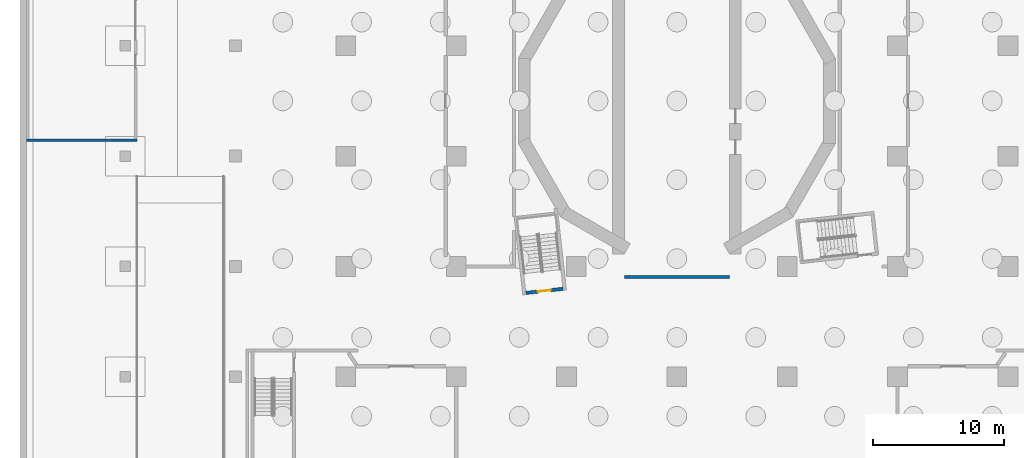
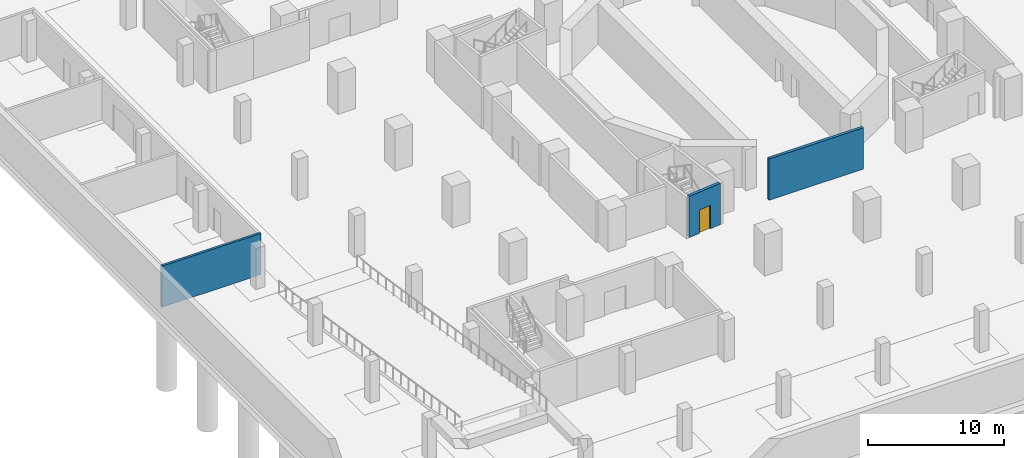
# One storey, part 5 of 20: 3 walls, 1 door, 1 opening.
"""IFC4 building model written with IfcOpenShell, lengths in metres."""

import ifcopenshell
import ifcopenshell.guid

model = None  # the IFC model being written
_history = None  # IfcOwnerHistory: only IFC2X3 demands one
_inside = {}  # id of a spatial element -> (the spatial element, [elements in it])
_under = {}  # id of a project, library or spatial element -> (it, [spatial elements below it])
_declared = {}  # id of a project -> (the project, [libraries it declares])
_typed = {}  # id of a type object -> (the type object, [elements of that type])
_made_of = {}  # id of a material, layer set ... -> (it, [elements and type objects made of it])


def new_model(schema):
    """Start an empty IFC model of exactly this schema.

    Asked for "IFC4X3", IfcOpenShell would pick the latest addendum, in which some entities
    have other attributes; the version numbers below select the first issue.
    IFC2X3 requires an IfcOwnerHistory on every rooted entity: one is made here for all.
    """
    global model, _history
    if schema == "IFC4X3":
        model = ifcopenshell.file(schema_version=(4, 3, 0, 0))
    else:
        model = ifcopenshell.file(schema=schema)
    _inside.clear()
    _under.clear()
    _declared.clear()
    _typed.clear()
    _made_of.clear()
    _history = None
    if model.schema == "IFC2X3":
        org = make("IfcOrganization", Name="unknown")
        user = make(
            "IfcPersonAndOrganization",
            ThePerson=make("IfcPerson", FamilyName="unknown"),
            TheOrganization=org,
        )
        app = make(
            "IfcApplication",
            ApplicationDeveloper=org,
            Version="unknown",
            ApplicationFullName="unknown",
            ApplicationIdentifier="unknown",
        )
        _history = make(
            "IfcOwnerHistory",
            OwningUser=user,
            OwningApplication=app,
            ChangeAction="ADDED",
            CreationDate=0,
        )
    return model


def make(cls, **values):
    """One entity of the class cls with the attributes given. An attribute that is None is left unset."""
    return model.create_entity(
        cls, **{name: value for name, value in values.items() if value is not None}
    )


def rooted(cls, **values):
    """An entity with a GlobalId (a new one), such as an element, a storey or a relation."""
    return make(cls, GlobalId=ifcopenshell.guid.new(), OwnerHistory=_history, **values)


def si_unit(unit_type, name, prefix=None):
    """IfcSIUnit, for example si_unit("LENGTHUNIT", "METRE", prefix="MILLI")."""
    return make("IfcSIUnit", UnitType=unit_type, Prefix=prefix, Name=name)


def assignment(units):
    """IfcUnitAssignment: the units of a project."""
    return None if units is None else make("IfcUnitAssignment", Units=units)


def point(xyz):
    """IfcCartesianPoint."""
    return None if xyz is None else make("IfcCartesianPoint", Coordinates=xyz)


def direction(xyz):
    """IfcDirection."""
    return None if xyz is None else make("IfcDirection", DirectionRatios=xyz)


def frame(location, z_axis=None, x_axis=None):
    """IfcAxis2Placement3D, a coordinate frame: its origin and axes. An axis left out is left unset."""
    return make(
        "IfcAxis2Placement3D",
        Location=point(location),
        Axis=direction(z_axis),
        RefDirection=direction(x_axis),
    )


def frame_2d(location, x_axis=None):
    """IfcAxis2Placement2D, a coordinate frame in the plane: its origin and x axis."""
    return make(
        "IfcAxis2Placement2D", Location=point(location), RefDirection=direction(x_axis)
    )


def origin():
    """The frame at (0, 0, 0) with its axes left unset."""
    return frame((0.0, 0.0, 0.0))


def place(relative_to, where):
    """IfcLocalPlacement: puts the frame where relative to a parent placement (None: the world)."""
    return make(
        "IfcLocalPlacement", PlacementRelTo=relative_to, RelativePlacement=where
    )


def context(
    kind, dimensions, precision=None, world=None, true_north=None, identifier=None
):
    """IfcGeometricRepresentationContext, for example the 3D "Model" context."""
    return make(
        "IfcGeometricRepresentationContext",
        ContextIdentifier=identifier,
        ContextType=kind,
        CoordinateSpaceDimension=dimensions,
        Precision=precision,
        WorldCoordinateSystem=world,
        TrueNorth=true_north,
    )


def subcontext(parent, identifier, kind, view, scale=None):
    """IfcGeometricRepresentationSubContext, for example "Body" below "Model"."""
    return make(
        "IfcGeometricRepresentationSubContext",
        ContextIdentifier=identifier,
        ContextType=kind,
        ParentContext=parent,
        TargetScale=scale,
        TargetView=view,
    )


def project(units=None, contexts=None):
    """IfcProject with its units and contexts."""
    return rooted(
        "IfcProject",
        Name="project",
        RepresentationContexts=contexts,
        UnitsInContext=assignment(units),
    )


def spatial(cls, under=None, at=None, **own):
    """A site, building, storey or space (cls), placed at a placement, below another one or the project."""
    s = rooted(cls, ObjectPlacement=at, **own)
    if under is not None:
        _under.setdefault(under.id(), (under, []))[1].append(s)
    return s


def profile(cls, at=None, kind="AREA", **sizes):
    """A parametric profile (cls). Its sizes go by their IFC names, for example OverallWidth=200.0."""
    return make(cls, ProfileType=kind, Position=at, **sizes)


def rectangle(**sizes):
    """IfcRectangleProfileDef."""
    return profile("IfcRectangleProfileDef", **sizes)


def extrude(swept, where, along, depth):
    """IfcExtrudedAreaSolid: the profile swept, set in the frame where, extruded along a direction by depth."""
    return make(
        "IfcExtrudedAreaSolid",
        SweptArea=swept,
        Position=where,
        ExtrudedDirection=direction(along),
        Depth=depth,
    )


def shape(context_of_items, identifier, shape_type, items):
    """IfcShapeRepresentation: the items that make up one representation, for example the "Body"."""
    return make(
        "IfcShapeRepresentation",
        ContextOfItems=context_of_items,
        RepresentationIdentifier=identifier,
        RepresentationType=shape_type,
        Items=items,
    )


def material(Name=None, Category=None):
    """IfcMaterial."""
    return make("IfcMaterial", Name=Name, Category=Category)


def layer(
    of_material, thickness, ventilated=None, Name=None, Category=None, Priority=None
):
    """IfcMaterialLayer: one layer of a wall or slab, of a material (None: an air gap)."""
    return make(
        "IfcMaterialLayer",
        Material=of_material,
        LayerThickness=thickness,
        IsVentilated=ventilated,
        Name=Name,
        Category=Category,
        Priority=Priority,
    )


def layer_set(layers, Name=None):
    """IfcMaterialLayerSet."""
    return make("IfcMaterialLayerSet", MaterialLayers=layers, LayerSetName=Name)


def made_of(thing, what):
    """Note that an element or type object is made of a material, layer set ...; save() writes the relation."""
    if what is not None:
        _made_of.setdefault(what.id(), (what, []))[1].append(thing)
    return thing


def type_object(cls, material=None, **own):
    """A type object (cls), such as IfcWallType, which elements share."""
    return made_of(rooted(cls, **own), material)


def element(
    cls,
    number,
    at=None,
    inside=None,
    cuts=None,
    type_object=None,
    material=None,
    context=None,
    identifier="Body",
    shape_type=None,
    held_by="IfcProductDefinitionShape",
    body=None,
    shapes=None,
    **own,
):
    """One element of the class cls, such as IfcWall. Its Tag is "e" and its number.

    at: its placement. inside: the storey or other place that contains it. cuts: it is an
    opening in that element (IfcRelVoidsElement). A single representation is given by context,
    identifier, shape_type and body (its items); several are given by shapes. held_by: the class
    of the entity that holds the representations. save() writes the other relations.
    """
    e = rooted(cls, Tag="e%d" % number, ObjectPlacement=at, **own)
    if body is not None:
        shapes = [shape(context, identifier, shape_type, body)]
    if shapes is not None:
        e.Representation = make(held_by, Representations=shapes)
    if inside is not None:
        _inside.setdefault(inside.id(), (inside, []))[1].append(e)
    if cuts is not None:
        rooted(
            "IfcRelVoidsElement", RelatingBuildingElement=cuts, RelatedOpeningElement=e
        )
    if type_object is not None:
        _typed.setdefault(type_object.id(), (type_object, []))[1].append(e)
    return made_of(e, material)


def fill(opening, filler):
    """IfcRelFillsElement: the door or window that sits in an opening."""
    return rooted(
        "IfcRelFillsElement",
        RelatingOpeningElement=opening,
        RelatedBuildingElement=filler,
    )


def aggregate(whole, parts):
    """IfcRelAggregates: a whole, such as a stair, and the parts it consists of."""
    return rooted("IfcRelAggregates", RelatingObject=whole, RelatedObjects=parts)


def save(model, path):
    """Write the relations noted so far, then the file.

    IfcRelAggregates (storeys below a building ...), IfcRelContainedInSpatialStructure (elements
    in a storey), IfcRelDefinesByType, IfcRelAssociatesMaterial and IfcRelDeclares: one each for
    every whole, place, type object, material and project.
    """
    for whole, parts in _under.values():
        aggregate(whole, parts)
    for where, things in _inside.values():
        rooted(
            "IfcRelContainedInSpatialStructure",
            RelatedElements=things,
            RelatingStructure=where,
        )
    for kind, things in _typed.values():
        rooted("IfcRelDefinesByType", RelatedObjects=things, RelatingType=kind)
    for what, things in _made_of.values():
        rooted("IfcRelAssociatesMaterial", RelatedObjects=things, RelatingMaterial=what)
    for by, libraries in _declared.values():
        rooted("IfcRelDeclares", RelatingContext=by, RelatedDefinitions=libraries)
    model.write(path)


model = new_model("IFC4")

# Units and contexts
model_context = context("Model", 3, precision=1e-05, world=origin(), true_north=direction((0.0, 1.0)))
body_context = subcontext(model_context, "Body", "Model", "MODEL_VIEW")
ifc_project = project(units=[si_unit("LENGTHUNIT", "METRE"), si_unit("AREAUNIT", "SQUARE_METRE"), si_unit("VOLUMEUNIT", "CUBIC_METRE"), si_unit("PLANEANGLEUNIT", "RADIAN"), si_unit("MASSUNIT", "GRAM", prefix="KILO")], contexts=[model_context])

# Site, building, storey
site_placement = place(None, origin())
site = spatial("IfcSite", under=ifc_project, at=site_placement, CompositionType="ELEMENT")
building_placement = place(site_placement, origin())
building = spatial("IfcBuilding", under=site, at=building_placement, Name="Cantera Rosa Tower", CompositionType="ELEMENT")
storey_placement = place(building_placement, frame((0.0, 0.0, -17.0)))
storey = spatial("IfcBuildingStorey", under=building, at=storey_placement, Name="B4", CompositionType="ELEMENT", Elevation=-17.0)

# Walls
ifc_material_1 = material(Name="Masonry blockwork", Category="masonry")
ifc_layer_1 = layer(ifc_material_1, 0.199951171875)
ifc_layer_set_1 = layer_set([ifc_layer_1], Name="Blockwork partition 200")
wall_type_1 = type_object("IfcWallType", Name="Blockwork partition 200", PredefinedType="PARTITIONING", material=ifc_layer_set_1)
wall_1_placement = place(storey_placement, frame((-49.5, -3.0, 0.0), z_axis=(0.0, 0.0, 1.0), x_axis=(1.0, 0.0, 0.0)))
element("IfcWall", 1, at=wall_1_placement, inside=storey, type_object=wall_type_1, Name="Partition B4-88", PredefinedType="PARTITIONING", context=body_context, shape_type="SweptSolid", body=[
    extrude(rectangle(XDim=8.39990234375, YDim=0.199951171875, at=frame_2d((4.199951171875, 0.0))), origin(), (0.0, 0.0, 1.0), 3.699951171875),
])
ifc_material_2 = material(Name="Masonry blockwork", Category="masonry")
ifc_layer_2 = layer(ifc_material_2, 0.25)
ifc_layer_set_2 = layer_set([ifc_layer_2], Name="Fire-rated wall 250")
wall_type_2 = type_object("IfcWallType", Name="Fire-rated wall 250", PredefinedType="PARTITIONING", material=ifc_layer_set_2)
wall_2_placement = place(storey_placement, frame((-4.0, -13.39990234375, 0.0), z_axis=(0.0, 0.0, 1.0), x_axis=(1.0, 0.0, 0.0)))
element("IfcWall", 2, at=wall_2_placement, inside=storey, type_object=wall_type_2, Name="Fire wall B4-2", PredefinedType="PARTITIONING", context=body_context, shape_type="SweptSolid", body=[
    extrude(rectangle(XDim=8.0, YDim=0.25, at=frame_2d((4.0, 0.0))), origin(), (0.0, 0.0, 1.0), 3.699951171875),
])

# Wall, opening, door
ifc_material_3 = material(Name="Concrete C50/60", Category="concrete")
ifc_layer_3 = layer(ifc_material_3, 0.25)
ifc_layer_set_3 = layer_set([ifc_layer_3], Name="RC stair wall 250 C50/60")
wall_type_3 = type_object("IfcWallType", Name="RC stair wall 250", PredefinedType="SOLIDWALL", material=ifc_layer_set_3)
wall_3_placement = place(storey_placement, frame((-8.66650390625, -14.30029296875, 0.0), z_axis=(0.0, 0.0, 1.0), x_axis=(-0.993904609394, -0.110243491536, 0.0)))
wall_3 = element("IfcWall", 3, at=wall_3_placement, inside=storey, type_object=wall_type_3, Name="Stair wall ST-13 B4-1", PredefinedType="SOLIDWALL", context=body_context, shape_type="SweptSolid", body=[
    extrude(rectangle(XDim=2.85009765625, YDim=0.25, at=frame_2d((1.425048828125, 0.0))), origin(), (0.0, 0.0, 1.0), 3.699951171875),
])
opening_placement = place(wall_3_placement, frame((0.925048828125, 0.0, 0.0)))
opening = element("IfcOpeningElement", 4, at=opening_placement, cuts=wall_3, Name="Opening B4-ST-13", PredefinedType="OPENING", context=body_context, shape_type="SweptSolid", body=[
    extrude(rectangle(XDim=1.0, YDim=2.10009765625, at=frame_2d((0.5, 1.050048828125))), frame((0.0, 0.135009765625, 0.0), z_axis=(0.0, -1.0, 0.0), x_axis=(1.0, 0.0, 0.0)), (0.0, 0.0, 1.0), 0.27001953125),
])
ifc_material_4 = material(Name="Steel S355J2 (EN 10025-2)", Category="steel")
door_type = type_object("IfcDoorType", Name="Fire door 1000x2100 EI 120", OperationType="NOTDEFINED", PredefinedType="DOOR", material=ifc_material_4)
door_placement = place(opening_placement, origin())
door = element("IfcDoor", 5, at=door_placement, inside=storey, type_object=door_type, Name="Door B4-ST-13", OverallHeight=2.10009765625, OverallWidth=1.0, PredefinedType="DOOR", context=body_context, shape_type="SweptSolid", body=[
    extrude(rectangle(XDim=1.0, YDim=2.10009765625, at=frame_2d((0.5, 1.050048828125))), frame((0.0, 0.02490234375, 0.0), z_axis=(0.0, -1.0, 0.0), x_axis=(1.0, 0.0, 0.0)), (0.0, 0.0, 1.0), 0.050048828125),
])
fill(opening, door)

save(model, "model.ifc")
